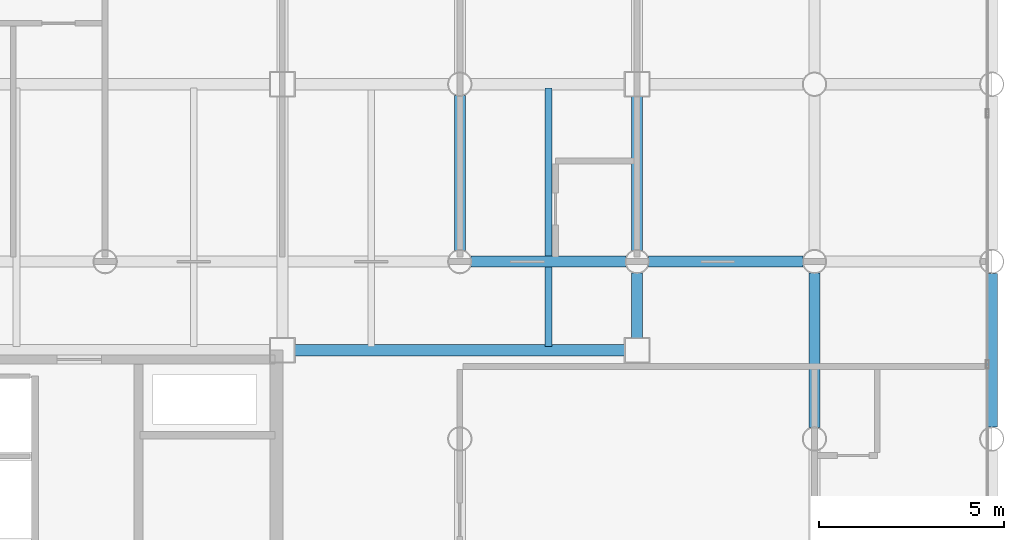
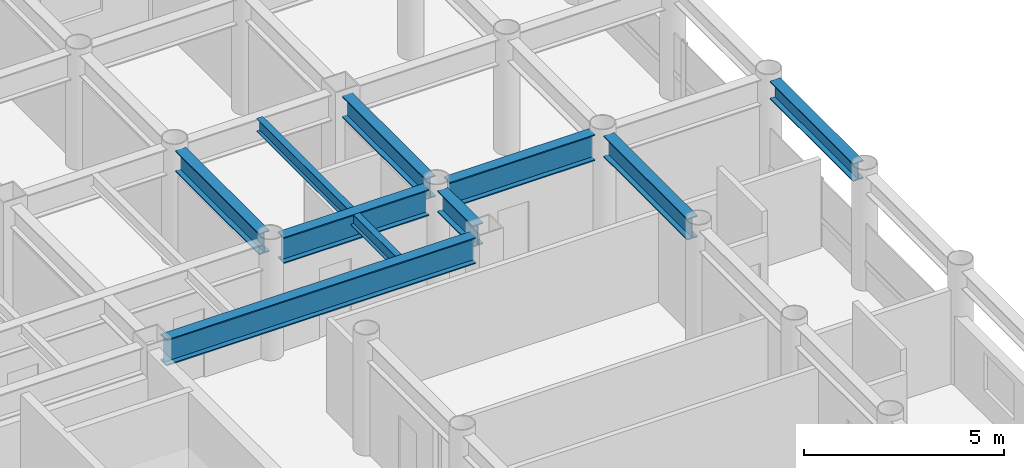
# One storey, part 9 of 22: 9 beams.
"""IFC4 building model written with IfcOpenShell, lengths in metres."""

import ifcopenshell
import ifcopenshell.guid

model = None  # the IFC model being written
_history = None  # IfcOwnerHistory: only IFC2X3 demands one
_inside = {}  # id of a spatial element -> (the spatial element, [elements in it])
_under = {}  # id of a project, library or spatial element -> (it, [spatial elements below it])
_declared = {}  # id of a project -> (the project, [libraries it declares])
_typed = {}  # id of a type object -> (the type object, [elements of that type])
_made_of = {}  # id of a material, layer set ... -> (it, [elements and type objects made of it])


def new_model(schema):
    """Start an empty IFC model of exactly this schema.

    Asked for "IFC4X3", IfcOpenShell would pick the latest addendum, in which some entities
    have other attributes; the version numbers below select the first issue.
    IFC2X3 requires an IfcOwnerHistory on every rooted entity: one is made here for all.
    """
    global model, _history
    if schema == "IFC4X3":
        model = ifcopenshell.file(schema_version=(4, 3, 0, 0))
    else:
        model = ifcopenshell.file(schema=schema)
    _inside.clear()
    _under.clear()
    _declared.clear()
    _typed.clear()
    _made_of.clear()
    _history = None
    if model.schema == "IFC2X3":
        org = make("IfcOrganization", Name="unknown")
        user = make(
            "IfcPersonAndOrganization",
            ThePerson=make("IfcPerson", FamilyName="unknown"),
            TheOrganization=org,
        )
        app = make(
            "IfcApplication",
            ApplicationDeveloper=org,
            Version="unknown",
            ApplicationFullName="unknown",
            ApplicationIdentifier="unknown",
        )
        _history = make(
            "IfcOwnerHistory",
            OwningUser=user,
            OwningApplication=app,
            ChangeAction="ADDED",
            CreationDate=0,
        )
    return model


def make(cls, **values):
    """One entity of the class cls with the attributes given. An attribute that is None is left unset."""
    return model.create_entity(
        cls, **{name: value for name, value in values.items() if value is not None}
    )


def rooted(cls, **values):
    """An entity with a GlobalId (a new one), such as an element, a storey or a relation."""
    return make(cls, GlobalId=ifcopenshell.guid.new(), OwnerHistory=_history, **values)


def si_unit(unit_type, name, prefix=None):
    """IfcSIUnit, for example si_unit("LENGTHUNIT", "METRE", prefix="MILLI")."""
    return make("IfcSIUnit", UnitType=unit_type, Prefix=prefix, Name=name)


def assignment(units):
    """IfcUnitAssignment: the units of a project."""
    return None if units is None else make("IfcUnitAssignment", Units=units)


def point(xyz):
    """IfcCartesianPoint."""
    return None if xyz is None else make("IfcCartesianPoint", Coordinates=xyz)


def direction(xyz):
    """IfcDirection."""
    return None if xyz is None else make("IfcDirection", DirectionRatios=xyz)


def frame(location, z_axis=None, x_axis=None):
    """IfcAxis2Placement3D, a coordinate frame: its origin and axes. An axis left out is left unset."""
    return make(
        "IfcAxis2Placement3D",
        Location=point(location),
        Axis=direction(z_axis),
        RefDirection=direction(x_axis),
    )


def frame_2d(location, x_axis=None):
    """IfcAxis2Placement2D, a coordinate frame in the plane: its origin and x axis."""
    return make(
        "IfcAxis2Placement2D", Location=point(location), RefDirection=direction(x_axis)
    )


def origin():
    """The frame at (0, 0, 0) with its axes left unset."""
    return frame((0.0, 0.0, 0.0))


def origin_2d():
    """The frame at (0, 0) in the plane with its x axis left unset."""
    return frame_2d((0.0, 0.0))


def place(relative_to, where):
    """IfcLocalPlacement: puts the frame where relative to a parent placement (None: the world)."""
    return make(
        "IfcLocalPlacement", PlacementRelTo=relative_to, RelativePlacement=where
    )


def context(
    kind, dimensions, precision=None, world=None, true_north=None, identifier=None
):
    """IfcGeometricRepresentationContext, for example the 3D "Model" context."""
    return make(
        "IfcGeometricRepresentationContext",
        ContextIdentifier=identifier,
        ContextType=kind,
        CoordinateSpaceDimension=dimensions,
        Precision=precision,
        WorldCoordinateSystem=world,
        TrueNorth=true_north,
    )


def subcontext(parent, identifier, kind, view, scale=None):
    """IfcGeometricRepresentationSubContext, for example "Body" below "Model"."""
    return make(
        "IfcGeometricRepresentationSubContext",
        ContextIdentifier=identifier,
        ContextType=kind,
        ParentContext=parent,
        TargetScale=scale,
        TargetView=view,
    )


def project(units=None, contexts=None):
    """IfcProject with its units and contexts."""
    return rooted(
        "IfcProject",
        Name="project",
        RepresentationContexts=contexts,
        UnitsInContext=assignment(units),
    )


def spatial(cls, under=None, at=None, **own):
    """A site, building, storey or space (cls), placed at a placement, below another one or the project."""
    s = rooted(cls, ObjectPlacement=at, **own)
    if under is not None:
        _under.setdefault(under.id(), (under, []))[1].append(s)
    return s


def profile(cls, at=None, kind="AREA", **sizes):
    """A parametric profile (cls). Its sizes go by their IFC names, for example OverallWidth=200.0."""
    return make(cls, ProfileType=kind, Position=at, **sizes)


def i_section(**sizes):
    """IfcIShapeProfileDef."""
    return profile("IfcIShapeProfileDef", **sizes)


def extrude(swept, where, along, depth):
    """IfcExtrudedAreaSolid: the profile swept, set in the frame where, extruded along a direction by depth."""
    return make(
        "IfcExtrudedAreaSolid",
        SweptArea=swept,
        Position=where,
        ExtrudedDirection=direction(along),
        Depth=depth,
    )


def shape(context_of_items, identifier, shape_type, items):
    """IfcShapeRepresentation: the items that make up one representation, for example the "Body"."""
    return make(
        "IfcShapeRepresentation",
        ContextOfItems=context_of_items,
        RepresentationIdentifier=identifier,
        RepresentationType=shape_type,
        Items=items,
    )


def material(Name=None, Category=None):
    """IfcMaterial."""
    return make("IfcMaterial", Name=Name, Category=Category)


def material_profile(
    of_material, cross_section, Name=None, Category=None, Priority=None
):
    """IfcMaterialProfile: a cross section and its material."""
    return make(
        "IfcMaterialProfile",
        Name=Name,
        Material=of_material,
        Profile=cross_section,
        Priority=Priority,
        Category=Category,
    )


def profile_set(profiles, Name=None, composite=None):
    """IfcMaterialProfileSet."""
    return make(
        "IfcMaterialProfileSet",
        Name=Name,
        MaterialProfiles=profiles,
        CompositeProfile=composite,
    )


def made_of(thing, what):
    """Note that an element or type object is made of a material, layer set ...; save() writes the relation."""
    if what is not None:
        _made_of.setdefault(what.id(), (what, []))[1].append(thing)
    return thing


def type_object(cls, material=None, **own):
    """A type object (cls), such as IfcWallType, which elements share."""
    return made_of(rooted(cls, **own), material)


def element(
    cls,
    number,
    at=None,
    inside=None,
    cuts=None,
    type_object=None,
    material=None,
    context=None,
    identifier="Body",
    shape_type=None,
    held_by="IfcProductDefinitionShape",
    body=None,
    shapes=None,
    **own,
):
    """One element of the class cls, such as IfcWall. Its Tag is "e" and its number.

    at: its placement. inside: the storey or other place that contains it. cuts: it is an
    opening in that element (IfcRelVoidsElement). A single representation is given by context,
    identifier, shape_type and body (its items); several are given by shapes. held_by: the class
    of the entity that holds the representations. save() writes the other relations.
    """
    e = rooted(cls, Tag="e%d" % number, ObjectPlacement=at, **own)
    if body is not None:
        shapes = [shape(context, identifier, shape_type, body)]
    if shapes is not None:
        e.Representation = make(held_by, Representations=shapes)
    if inside is not None:
        _inside.setdefault(inside.id(), (inside, []))[1].append(e)
    if cuts is not None:
        rooted(
            "IfcRelVoidsElement", RelatingBuildingElement=cuts, RelatedOpeningElement=e
        )
    if type_object is not None:
        _typed.setdefault(type_object.id(), (type_object, []))[1].append(e)
    return made_of(e, material)


def aggregate(whole, parts):
    """IfcRelAggregates: a whole, such as a stair, and the parts it consists of."""
    return rooted("IfcRelAggregates", RelatingObject=whole, RelatedObjects=parts)


def save(model, path):
    """Write the relations noted so far, then the file.

    IfcRelAggregates (storeys below a building ...), IfcRelContainedInSpatialStructure (elements
    in a storey), IfcRelDefinesByType, IfcRelAssociatesMaterial and IfcRelDeclares: one each for
    every whole, place, type object, material and project.
    """
    for whole, parts in _under.values():
        aggregate(whole, parts)
    for where, things in _inside.values():
        rooted(
            "IfcRelContainedInSpatialStructure",
            RelatedElements=things,
            RelatingStructure=where,
        )
    for kind, things in _typed.values():
        rooted("IfcRelDefinesByType", RelatedObjects=things, RelatingType=kind)
    for what, things in _made_of.values():
        rooted("IfcRelAssociatesMaterial", RelatedObjects=things, RelatingMaterial=what)
    for by, libraries in _declared.values():
        rooted("IfcRelDeclares", RelatingContext=by, RelatedDefinitions=libraries)
    model.write(path)


model = new_model("IFC4")

# Units and contexts
model_context = context("Model", 3, precision=1e-05, world=origin(), true_north=direction((0.0, 1.0)))
body_context = subcontext(model_context, "Body", "Model", "MODEL_VIEW")
ifc_project = project(units=[si_unit("LENGTHUNIT", "METRE"), si_unit("AREAUNIT", "SQUARE_METRE"), si_unit("VOLUMEUNIT", "CUBIC_METRE"), si_unit("PLANEANGLEUNIT", "RADIAN"), si_unit("MASSUNIT", "GRAM", prefix="KILO")], contexts=[model_context])

# Site, building, storey
site_placement = place(None, origin())
site = spatial("IfcSite", under=ifc_project, at=site_placement, CompositionType="ELEMENT")
building_placement = place(site_placement, origin())
building = spatial("IfcBuilding", under=site, at=building_placement, Name="Kallvorn Hotel Tower", CompositionType="ELEMENT")
storey_placement = place(building_placement, frame((0.0, 0.0, 113.699951171875)))
storey = spatial("IfcBuildingStorey", under=building, at=storey_placement, Name="L27", CompositionType="ELEMENT", Elevation=113.699951171875)

# Beams
ifc_material_1 = material(Name="Structural steel S355JR", Category="steel")
ifc_material_profile_1 = material_profile(ifc_material_1, i_section(OverallWidth=0.300048828125, OverallDepth=0.550048828125, WebThickness=0.014892578125, FlangeThickness=0.029052734375, at=origin_2d()), Name="HE 550 B")
ifc_profile_set_1 = profile_set([ifc_material_profile_1], Name="Structural steel S355JR")
beam_type_1 = type_object("IfcBeamType", Name="BM_HE550B", PredefinedType="SPANDREL", material=ifc_profile_set_1)
beam_1_placement = place(storey_placement, frame((33.60009765625, 5.1201171875, 3.2451171875), z_axis=(0.0, 1.0, 0.0), x_axis=(-1.0, 0.0, 0.0)))
element("IfcBeam", 1, at=beam_1_placement, inside=storey, type_object=beam_type_1, Name="L28 Perimeter Spandrel 186", PredefinedType="SPANDREL", context=body_context, shape_type="SweptSolid", body=[
    extrude(i_section(OverallWidth=0.300048828125, OverallDepth=0.550048828125, WebThickness=0.014892578125, FlangeThickness=0.029052734375, at=origin_2d()), origin(), (0.0, 0.0, 1.0), 4.159912109375),
])
ifc_material_2 = material(Name="Structural steel S355JR", Category="steel")
ifc_material_profile_2 = material_profile(ifc_material_2, i_section(OverallWidth=0.300048828125, OverallDepth=0.64990234375, WebThickness=0.01611328125, FlangeThickness=0.031005859375, at=origin_2d()), Name="HE 650 B")
ifc_profile_set_2 = profile_set([ifc_material_profile_2], Name="Structural steel S355JR")
beam_type_2 = type_object("IfcBeamType", Name="BM_HE650B", PredefinedType="BEAM", material=ifc_profile_set_2)
beam_2_placement = place(storey_placement, frame((19.199951171875, 9.905029296875, 3.195068359375), z_axis=(0.0, 1.0, 0.0), x_axis=(-1.0, 0.0, 0.0)))
element("IfcBeam", 2, at=beam_2_placement, inside=storey, type_object=beam_type_2, Name="L28 Primary Y-Girder 132", PredefinedType="BEAM", context=body_context, shape_type="SweptSolid", body=[
    extrude(i_section(OverallWidth=0.300048828125, OverallDepth=0.64990234375, WebThickness=0.01611328125, FlangeThickness=0.031005859375, at=origin_2d()), origin(), (0.0, 0.0, 1.0), 4.18994140625),
])
beam_3_placement = place(storey_placement, frame((24.0, 7.52490234375, 3.195068359375), z_axis=(0.0, 1.0, 0.0), x_axis=(-1.0, 0.0, 0.0)))
element("IfcBeam", 3, at=beam_3_placement, inside=storey, type_object=beam_type_2, Name="L28 Primary Y-Girder 138", PredefinedType="BEAM", context=body_context, shape_type="SweptSolid", body=[
    extrude(i_section(OverallWidth=0.300048828125, OverallDepth=0.64990234375, WebThickness=0.01611328125, FlangeThickness=0.031005859375, at=origin_2d()), origin(), (0.0, 0.0, 1.0), 1.77001953125),
])
beam_4_placement = place(storey_placement, frame((24.0, 9.905029296875, 3.195068359375), z_axis=(0.0, 1.0, 0.0), x_axis=(-1.0, 0.0, 0.0)))
element("IfcBeam", 4, at=beam_4_placement, inside=storey, type_object=beam_type_2, Name="L28 Primary Y-Girder 139", PredefinedType="BEAM", context=body_context, shape_type="SweptSolid", body=[
    extrude(i_section(OverallWidth=0.300048828125, OverallDepth=0.64990234375, WebThickness=0.01611328125, FlangeThickness=0.031005859375, at=origin_2d()), origin(), (0.0, 0.0, 1.0), 4.169921875),
])
beam_5_placement = place(storey_placement, frame((28.800048828125, 5.10498046875, 3.195068359375), z_axis=(0.0, 1.0, 0.0), x_axis=(-1.0, 0.0, 0.0)))
element("IfcBeam", 5, at=beam_5_placement, inside=storey, type_object=beam_type_2, Name="L28 Primary Y-Girder 147", PredefinedType="BEAM", context=body_context, shape_type="SweptSolid", body=[
    extrude(i_section(OverallWidth=0.300048828125, OverallDepth=0.64990234375, WebThickness=0.01611328125, FlangeThickness=0.031005859375, at=origin_2d()), origin(), (0.0, 0.0, 1.0), 4.18994140625),
])
ifc_material_3 = material(Name="Structural steel S355JR", Category="steel")
ifc_material_profile_3 = material_profile(ifc_material_3, i_section(OverallWidth=0.300048828125, OverallDepth=0.800048828125, WebThickness=0.017578125, FlangeThickness=0.032958984375, at=origin_2d()), Name="HE 800 B")
ifc_profile_set_3 = profile_set([ifc_material_profile_3], Name="Structural steel S355JR")
beam_type_3 = type_object("IfcBeamType", Name="BM_HE800B", PredefinedType="BEAM", material=ifc_profile_set_3)
beam_6_placement = place(storey_placement, frame((14.72509765625, 7.199951171875, 3.1201171875), z_axis=(1.0, 0.0, 0.0), x_axis=(0.0, 1.0, 0.0)))
element("IfcBeam", 6, at=beam_6_placement, inside=storey, type_object=beam_type_3, Name="L28 Primary X-Girder 40", PredefinedType="BEAM", context=body_context, shape_type="SweptSolid", body=[
    extrude(i_section(OverallWidth=0.300048828125, OverallDepth=0.800048828125, WebThickness=0.017578125, FlangeThickness=0.032958984375, at=origin_2d()), origin(), (0.0, 0.0, 1.0), 8.949951171875),
])
for number, where, z_axis, x_axis, name in (
    (7, (19.5048828125, 9.60009765625, 3.1201171875), (1.0, 0.0, 0.0), (0.0, 1.0, 0.0), "L28 Primary X-Girder 47"),
    (8, (24.304931640625, 9.60009765625, 3.1201171875), (1.0, 0.0, 0.0), (0.0, 1.0, 0.0), "L28 Primary X-Girder 48"),
):
    element("IfcBeam", number, at=place(storey_placement, frame(where, z_axis=z_axis, x_axis=x_axis)), inside=storey, type_object=beam_type_3, Name=name, PredefinedType="BEAM", context=body_context, shape_type="SweptSolid", body=[
        extrude(i_section(OverallWidth=0.300048828125, OverallDepth=0.800048828125, WebThickness=0.017578125, FlangeThickness=0.032958984375, at=origin_2d()), origin(), (0.0, 0.0, 1.0), 4.190185546875),
    ])
ifc_material_4 = material(Name="Structural steel S355JR", Category="steel")
ifc_material_profile_4 = material_profile(ifc_material_4, i_section(OverallWidth=0.179931640625, OverallDepth=0.39990234375, WebThickness=0.008544921875, FlangeThickness=0.013427734375, at=origin_2d()), Name="IPE 400")
ifc_profile_set_4 = profile_set([ifc_material_profile_4], Name="Structural steel S355JR")
beam_type_4 = type_object("IfcBeamType", Name="BM_IPE400", PredefinedType="JOIST", material=ifc_profile_set_4)
beam_7_placement = place(storey_placement, frame((21.60009765625, 7.300048828125, 3.320068359375), z_axis=(0.0, 1.0, 0.0), x_axis=(-1.0, 0.0, 0.0)))
element("IfcBeam", 9, at=beam_7_placement, inside=storey, type_object=beam_type_4, Name="L28 Secondary Composite Joist 209", PredefinedType="JOIST", context=body_context, shape_type="SweptSolid", body=[
    extrude(i_section(OverallWidth=0.179931640625, OverallDepth=0.39990234375, WebThickness=0.008544921875, FlangeThickness=0.013427734375, at=origin_2d()), origin(), (0.0, 0.0, 1.0), 7.0),
])

save(model, "model.ifc")
